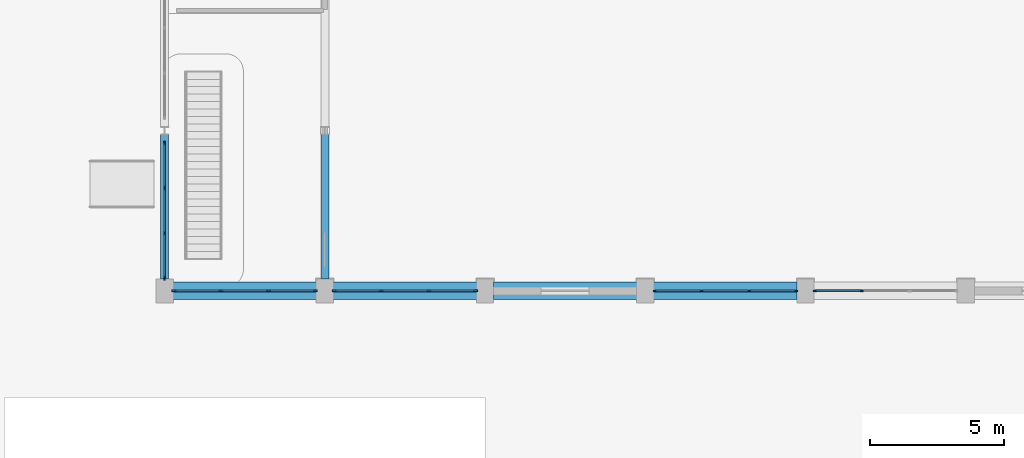
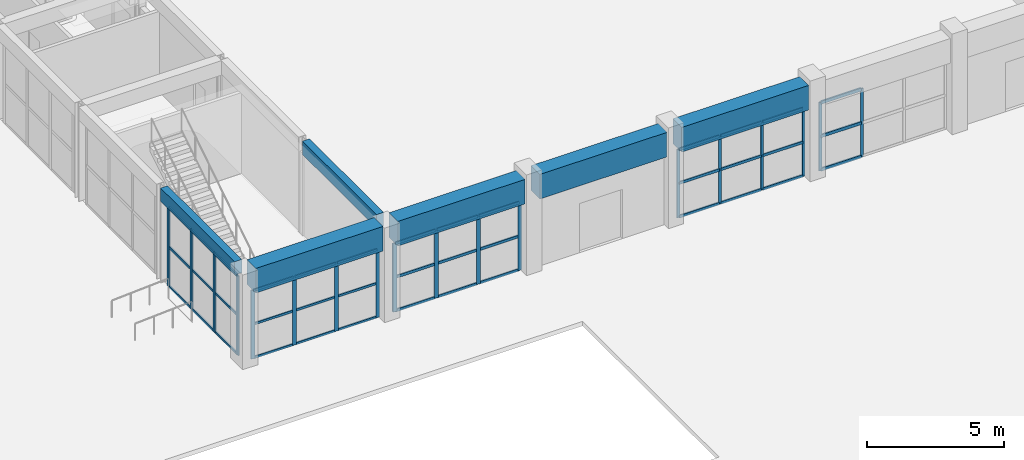
# One storey, part 15 of 76: 57 members, 6 beams, 5 elements without a shape of their own.
"""IFC4 building model written with IfcOpenShell, lengths in metres."""

from ifc_helpers import new_model, si_unit, direction, frame, origin, origin_2d, place, context, subcontext, project, spatial, rectangle, extrude, material, layer, layer_set, material_profile, profile_set, type_object, element, aggregate, save


model = new_model("IFC4")

# Units and contexts
model_context = context("Model", 3, precision=1e-05, world=origin(), true_north=direction((0.0, 1.0)))
body_context = subcontext(model_context, "Body", "Model", "MODEL_VIEW")
ifc_project = project(units=[si_unit("LENGTHUNIT", "METRE"), si_unit("AREAUNIT", "SQUARE_METRE"), si_unit("VOLUMEUNIT", "CUBIC_METRE"), si_unit("PLANEANGLEUNIT", "RADIAN"), si_unit("MASSUNIT", "GRAM", prefix="KILO"), si_unit("POWERUNIT", "WATT"), si_unit("THERMODYNAMICTEMPERATUREUNIT", "KELVIN")], contexts=[model_context])

# Site, building, storey
site_placement = place(None, origin())
site = spatial("IfcSite", under=ifc_project, at=site_placement, CompositionType="ELEMENT")
building_placement = place(site_placement, origin())
building = spatial("IfcBuilding", under=site, at=building_placement, Name="Ruvembo Vaulted Housing Court", CompositionType="ELEMENT")
storey_placement = place(building_placement, origin())
storey = spatial("IfcBuildingStorey", under=building, at=storey_placement, Name="L00", CompositionType="ELEMENT", Elevation=0.0)

# Beams
ifc_material_1 = material(Name="Concrete C35/45", Category="concrete")
ifc_material_profile_1 = material_profile(ifc_material_1, rectangle(XDim=0.300048828125, YDim=0.60009765625, at=origin_2d()), Name="RC 300x600")
ifc_profile_set_1 = profile_set([ifc_material_profile_1], Name="Concrete C35/45")
beam_type_1 = type_object("IfcBeamType", Name="BM-RC-300x600", PredefinedType="BEAM", material=ifc_profile_set_1)
for number, where, z_axis, x_axis, name in (
    (1, (66.0, 42.43505859375, 3.929931640625), (0.0, 1.0, 0.0), (-1.0, 0.0, 0.0), "L00 Grid Beam Y #1007"),
    (2, (72.0, 42.43505859375, 3.929931640625), (0.0, 1.0, 0.0), (-1.0, 0.0, 0.0), "L00 Grid Beam Y #1015"),
):
    element("IfcBeam", number, at=place(storey_placement, frame(where, z_axis=z_axis, x_axis=x_axis)), inside=storey, type_object=beam_type_1, Name=name, PredefinedType="BEAM", context=body_context, shape_type="SweptSolid", body=[
        extrude(rectangle(XDim=0.300048828125, YDim=0.60009765625, at=origin_2d()), origin(), (0.0, 0.0, 1.0), 5.429931640625),
    ])

# Curtain wall, members
ifc_material_2 = material(Name="Anodised Aluminium and Solar-Control Glass", Category="aluminium")
ifc_layer_1 = layer(ifc_material_2, 0.159912109375, Name="Anodised Aluminium and Solar-Control Glass")
ifc_layer_set_1 = layer_set([ifc_layer_1], Name="Anodised Aluminium and Solar-Control Glass")
curtain_wall_type_1 = type_object("IfcCurtainWallType", Name="CW-HALL-SIDE", PredefinedType="NOTDEFINED", material=ifc_layer_set_1)
curtain_wall_1_placement = place(storey_placement, origin())
curtain_wall_1 = element("IfcCurtainWall", 3, at=curtain_wall_1_placement, inside=storey, type_object=curtain_wall_type_1, Name="L00 Curtain Wall CW-L00-0099", PredefinedType="NOTDEFINED")
ifc_material_3 = material(Name="Anodised Aluminium 6063-T6", Category="aluminium")
ifc_material_profile_2 = material_profile(ifc_material_3, rectangle(XDim=0.054931640625, YDim=0.1201171875, at=origin_2d()), Name="ALU 55x120")
ifc_profile_set_2 = profile_set([ifc_material_profile_2], Name="Anodised Aluminium 6063-T6")
member_type_1 = type_object("IfcMemberType", Name="CW-MUL-55x120", PredefinedType="MULLION", material=ifc_profile_set_2)
member_1_placement = place(storey_placement, frame((84.3525390625, 42.0, 0.0), z_axis=(0.0, 0.0, 1.0), x_axis=(0.0, 1.0, 0.0)))
member_1 = element("IfcMember", 4, at=member_1_placement, type_object=member_type_1, Name="CW1 mullion 1", PredefinedType="MULLION", context=body_context, shape_type="SweptSolid", body=[
    extrude(rectangle(XDim=0.054931640625, YDim=0.1201171875, at=origin_2d()), origin(), (0.0, 0.0, 1.0), 3.06201171875),
])
member_2_placement = place(storey_placement, frame((86.1083984375, 42.0, 0.0), z_axis=(0.0, 0.0, 1.0), x_axis=(0.0, 1.0, 0.0)))
member_2 = element("IfcMember", 5, at=member_2_placement, type_object=member_type_1, Name="CW1 mullion 2", PredefinedType="MULLION", context=body_context, shape_type="SweptSolid", body=[
    extrude(rectangle(XDim=0.054931640625, YDim=0.1201171875, at=origin_2d()), origin(), (0.0, 0.0, 1.0), 3.06201171875),
])
member_3_placement = place(storey_placement, frame((87.8916015625, 42.0, 0.0), z_axis=(0.0, 0.0, 1.0), x_axis=(0.0, 1.0, 0.0)))
member_3 = element("IfcMember", 6, at=member_3_placement, type_object=member_type_1, Name="CW1 mullion 3", PredefinedType="MULLION", context=body_context, shape_type="SweptSolid", body=[
    extrude(rectangle(XDim=0.054931640625, YDim=0.1201171875, at=origin_2d()), origin(), (0.0, 0.0, 1.0), 3.06201171875),
])
member_4_placement = place(storey_placement, frame((89.6474609375, 42.0, 0.0), z_axis=(0.0, 0.0, 1.0), x_axis=(0.0, 1.0, 0.0)))
member_4 = element("IfcMember", 7, at=member_4_placement, type_object=member_type_1, Name="CW1 mullion 4", PredefinedType="MULLION", context=body_context, shape_type="SweptSolid", body=[
    extrude(rectangle(XDim=0.054931640625, YDim=0.1201171875, at=origin_2d()), origin(), (0.0, 0.0, 1.0), 3.06201171875),
])

curtain_wall_2_placement = place(storey_placement, origin())
curtain_wall_2 = element("IfcCurtainWall", 8, at=curtain_wall_2_placement, inside=storey, type_object=curtain_wall_type_1, Name="L00 Curtain Wall CW-L00-0103", PredefinedType="NOTDEFINED")
member_5_placement = place(storey_placement, frame((90.3525390625, 42.0, 0.0), z_axis=(0.0, 0.0, 1.0), x_axis=(0.0, 1.0, 0.0)))
member_5 = element("IfcMember", 9, at=member_5_placement, type_object=member_type_1, Name="CW1 mullion 1", PredefinedType="MULLION", context=body_context, shape_type="SweptSolid", body=[
    extrude(rectangle(XDim=0.054931640625, YDim=0.1201171875, at=origin_2d()), origin(), (0.0, 0.0, 1.0), 3.06201171875),
])
member_6_placement = place(storey_placement, frame((92.1083984375, 42.0, 0.0), z_axis=(0.0, 0.0, 1.0), x_axis=(0.0, 1.0, 0.0)))
member_6 = element("IfcMember", 10, at=member_6_placement, type_object=member_type_1, Name="CW1 mullion 2", PredefinedType="MULLION", context=body_context, shape_type="SweptSolid", body=[
    extrude(rectangle(XDim=0.054931640625, YDim=0.1201171875, at=origin_2d()), origin(), (0.0, 0.0, 1.0), 3.06201171875),
])

curtain_wall_3_placement = place(storey_placement, origin())
curtain_wall_3 = element("IfcCurtainWall", 11, at=curtain_wall_3_placement, inside=storey, type_object=curtain_wall_type_1, Name="L00 Curtain Wall CW-L00-0089", PredefinedType="NOTDEFINED")
ifc_material_profile_3 = material_profile(ifc_material_3, rectangle(XDim=0.06005859375, YDim=0.159912109375, at=origin_2d()), Name="ALU 60x160")
ifc_profile_set_3 = profile_set([ifc_material_profile_3], Name="Anodised Aluminium 6063-T6")
member_type_2 = type_object("IfcMemberType", Name="CW-MULLION-65x150", PredefinedType="MULLION", material=ifc_profile_set_3)
member_7_placement = place(storey_placement, frame((66.35498046875, 42.0, 0.0), z_axis=(0.0, 0.0, 1.0), x_axis=(0.0, 1.0, 0.0)))
member_7 = element("IfcMember", 12, at=member_7_placement, type_object=member_type_2, Name="CW1 mullion 1", PredefinedType="MULLION", context=body_context, shape_type="SweptSolid", body=[
    extrude(rectangle(XDim=0.06005859375, YDim=0.159912109375, at=origin_2d()), origin(), (0.0, 0.0, 1.0), 3.06201171875),
])
member_8_placement = place(storey_placement, frame((68.1083984375, 42.0, 0.0), z_axis=(0.0, 0.0, 1.0), x_axis=(0.0, 1.0, 0.0)))
member_8 = element("IfcMember", 13, at=member_8_placement, type_object=member_type_2, Name="CW1 mullion 2", PredefinedType="MULLION", context=body_context, shape_type="SweptSolid", body=[
    extrude(rectangle(XDim=0.06005859375, YDim=0.159912109375, at=origin_2d()), origin(), (0.0, 0.0, 1.0), 3.06201171875),
])
member_9_placement = place(storey_placement, frame((69.8916015625, 42.0, 0.0), z_axis=(0.0, 0.0, 1.0), x_axis=(0.0, 1.0, 0.0)))
member_9 = element("IfcMember", 14, at=member_9_placement, type_object=member_type_2, Name="CW1 mullion 3", PredefinedType="MULLION", context=body_context, shape_type="SweptSolid", body=[
    extrude(rectangle(XDim=0.06005859375, YDim=0.159912109375, at=origin_2d()), origin(), (0.0, 0.0, 1.0), 3.06201171875),
])
member_10_placement = place(storey_placement, frame((71.64501953125, 42.0, 0.0), z_axis=(0.0, 0.0, 1.0), x_axis=(0.0, 1.0, 0.0)))
member_10 = element("IfcMember", 15, at=member_10_placement, type_object=member_type_2, Name="CW1 mullion 4", PredefinedType="MULLION", context=body_context, shape_type="SweptSolid", body=[
    extrude(rectangle(XDim=0.06005859375, YDim=0.159912109375, at=origin_2d()), origin(), (0.0, 0.0, 1.0), 3.06201171875),
])

curtain_wall_4_placement = place(storey_placement, origin())
curtain_wall_4 = element("IfcCurtainWall", 16, at=curtain_wall_4_placement, inside=storey, type_object=curtain_wall_type_1, Name="L00 Curtain Wall CW-L00-0093", PredefinedType="NOTDEFINED")
member_11_placement = place(storey_placement, frame((72.35498046875, 42.0, 0.0), z_axis=(0.0, 0.0, 1.0), x_axis=(0.0, 1.0, 0.0)))
member_11 = element("IfcMember", 17, at=member_11_placement, type_object=member_type_2, Name="CW1 mullion 1", PredefinedType="MULLION", context=body_context, shape_type="SweptSolid", body=[
    extrude(rectangle(XDim=0.06005859375, YDim=0.159912109375, at=origin_2d()), origin(), (0.0, 0.0, 1.0), 3.06201171875),
])
member_12_placement = place(storey_placement, frame((74.1083984375, 42.0, 0.0), z_axis=(0.0, 0.0, 1.0), x_axis=(0.0, 1.0, 0.0)))
member_12 = element("IfcMember", 18, at=member_12_placement, type_object=member_type_2, Name="CW1 mullion 2", PredefinedType="MULLION", context=body_context, shape_type="SweptSolid", body=[
    extrude(rectangle(XDim=0.06005859375, YDim=0.159912109375, at=origin_2d()), origin(), (0.0, 0.0, 1.0), 3.06201171875),
])
member_13_placement = place(storey_placement, frame((75.8916015625, 42.0, 0.0), z_axis=(0.0, 0.0, 1.0), x_axis=(0.0, 1.0, 0.0)))
member_13 = element("IfcMember", 19, at=member_13_placement, type_object=member_type_2, Name="CW1 mullion 3", PredefinedType="MULLION", context=body_context, shape_type="SweptSolid", body=[
    extrude(rectangle(XDim=0.06005859375, YDim=0.159912109375, at=origin_2d()), origin(), (0.0, 0.0, 1.0), 3.06201171875),
])
member_14_placement = place(storey_placement, frame((77.64501953125, 42.0, 0.0), z_axis=(0.0, 0.0, 1.0), x_axis=(0.0, 1.0, 0.0)))
member_14 = element("IfcMember", 20, at=member_14_placement, type_object=member_type_2, Name="CW1 mullion 4", PredefinedType="MULLION", context=body_context, shape_type="SweptSolid", body=[
    extrude(rectangle(XDim=0.06005859375, YDim=0.159912109375, at=origin_2d()), origin(), (0.0, 0.0, 1.0), 3.06201171875),
])

ifc_layer_2 = layer(ifc_material_2, 0.179931640625, Name="Anodised Aluminium and Solar-Control Glass")
ifc_layer_set_2 = layer_set([ifc_layer_2], Name="Anodised Aluminium and Solar-Control Glass")
curtain_wall_type_2 = type_object("IfcCurtainWallType", Name="CW-HALL-TYMP", PredefinedType="NOTDEFINED", material=ifc_layer_set_2)
curtain_wall_5_placement = place(storey_placement, origin())
curtain_wall_5 = element("IfcCurtainWall", 21, at=curtain_wall_5_placement, inside=storey, type_object=curtain_wall_type_2, Name="L00 Curtain Wall CW-L00-0113", PredefinedType="NOTDEFINED")
member_15_placement = place(storey_placement, frame((66.0, 42.47998046875, 0.0), z_axis=(0.0, 0.0, 1.0), x_axis=(-1.0, 0.0, 0.0)))
member_15 = element("IfcMember", 22, at=member_15_placement, type_object=member_type_2, Name="CW2 mullion 1", PredefinedType="MULLION", context=body_context, shape_type="SweptSolid", body=[
    extrude(rectangle(XDim=0.06005859375, YDim=0.159912109375, at=origin_2d()), origin(), (0.0, 0.0, 1.0), 3.56201171875),
])
member_16_placement = place(storey_placement, frame((66.0, 44.14990234375, 0.0), z_axis=(0.0, 0.0, 1.0), x_axis=(-1.0, 0.0, 0.0)))
member_16 = element("IfcMember", 23, at=member_16_placement, type_object=member_type_2, Name="CW2 mullion 2", PredefinedType="MULLION", context=body_context, shape_type="SweptSolid", body=[
    extrude(rectangle(XDim=0.06005859375, YDim=0.159912109375, at=origin_2d()), origin(), (0.0, 0.0, 1.0), 3.56201171875),
])
member_17_placement = place(storey_placement, frame((66.0, 45.85009765625, 0.0), z_axis=(0.0, 0.0, 1.0), x_axis=(-1.0, 0.0, 0.0)))
member_17 = element("IfcMember", 24, at=member_17_placement, type_object=member_type_2, Name="CW2 mullion 3", PredefinedType="MULLION", context=body_context, shape_type="SweptSolid", body=[
    extrude(rectangle(XDim=0.06005859375, YDim=0.159912109375, at=origin_2d()), origin(), (0.0, 0.0, 1.0), 3.56201171875),
])
member_18_placement = place(storey_placement, frame((66.0, 47.52001953125, 0.0), z_axis=(0.0, 0.0, 1.0), x_axis=(-1.0, 0.0, 0.0)))
member_18 = element("IfcMember", 25, at=member_18_placement, type_object=member_type_2, Name="CW2 mullion 4", PredefinedType="MULLION", context=body_context, shape_type="SweptSolid", body=[
    extrude(rectangle(XDim=0.06005859375, YDim=0.159912109375, at=origin_2d()), origin(), (0.0, 0.0, 1.0), 3.56201171875),
])

# Member
ifc_material_profile_4 = material_profile(ifc_material_3, rectangle(XDim=0.06005859375, YDim=0.1201171875, at=origin_2d()), Name="ALU 60x120")
ifc_profile_set_4 = profile_set([ifc_material_profile_4], Name="Anodised Aluminium 6063-T6")
member_type_3 = type_object("IfcMemberType", Name="CW-TRANSOM-65x120", PredefinedType="USERDEFINED", material=ifc_profile_set_4)
member_19_placement = place(storey_placement, frame((72.385009765625, 42.0, 0.030029296875), z_axis=(1.0, 0.0, 0.0), x_axis=(0.0, 1.0, 0.0)))
member_19 = element("IfcMember", 26, at=member_19_placement, type_object=member_type_3, Name="CW1 transom 1.1", ObjectType="TRANSOM", PredefinedType="USERDEFINED", context=body_context, shape_type="SweptSolid", body=[
    extrude(rectangle(XDim=0.06005859375, YDim=0.1201171875, at=origin_2d()), origin(), (0.0, 0.0, 1.0), 1.693359375),
])

member_20_placement = place(storey_placement, frame((72.385009765625, 42.0, 1.531005859375), z_axis=(1.0, 0.0, 0.0), x_axis=(0.0, 1.0, 0.0)))
member_20 = element("IfcMember", 27, at=member_20_placement, type_object=member_type_3, Name="CW1 transom 1.2", ObjectType="TRANSOM", PredefinedType="USERDEFINED", context=body_context, shape_type="SweptSolid", body=[
    extrude(rectangle(XDim=0.06005859375, YDim=0.1201171875, at=origin_2d()), origin(), (0.0, 0.0, 1.0), 1.693359375),
])

member_21_placement = place(storey_placement, frame((72.385009765625, 42.0, 3.031982421875), z_axis=(1.0, 0.0, 0.0), x_axis=(0.0, 1.0, 0.0)))
member_21 = element("IfcMember", 28, at=member_21_placement, type_object=member_type_3, Name="CW1 transom 1.3", ObjectType="TRANSOM", PredefinedType="USERDEFINED", context=body_context, shape_type="SweptSolid", body=[
    extrude(rectangle(XDim=0.06005859375, YDim=0.1201171875, at=origin_2d()), origin(), (0.0, 0.0, 1.0), 1.693359375),
])

member_22_placement = place(storey_placement, frame((74.138427734375, 42.0, 0.030029296875), z_axis=(1.0, 0.0, 0.0), x_axis=(0.0, 1.0, 0.0)))
member_22 = element("IfcMember", 29, at=member_22_placement, type_object=member_type_3, Name="CW1 transom 2.1", ObjectType="TRANSOM", PredefinedType="USERDEFINED", context=body_context, shape_type="SweptSolid", body=[
    extrude(rectangle(XDim=0.06005859375, YDim=0.1201171875, at=origin_2d()), origin(), (0.0, 0.0, 1.0), 1.72314453125),
])

member_23_placement = place(storey_placement, frame((74.138427734375, 42.0, 1.531005859375), z_axis=(1.0, 0.0, 0.0), x_axis=(0.0, 1.0, 0.0)))
member_23 = element("IfcMember", 30, at=member_23_placement, type_object=member_type_3, Name="CW1 transom 2.2", ObjectType="TRANSOM", PredefinedType="USERDEFINED", context=body_context, shape_type="SweptSolid", body=[
    extrude(rectangle(XDim=0.06005859375, YDim=0.1201171875, at=origin_2d()), origin(), (0.0, 0.0, 1.0), 1.72314453125),
])

member_24_placement = place(storey_placement, frame((74.138427734375, 42.0, 3.031982421875), z_axis=(1.0, 0.0, 0.0), x_axis=(0.0, 1.0, 0.0)))
member_24 = element("IfcMember", 31, at=member_24_placement, type_object=member_type_3, Name="CW1 transom 2.3", ObjectType="TRANSOM", PredefinedType="USERDEFINED", context=body_context, shape_type="SweptSolid", body=[
    extrude(rectangle(XDim=0.06005859375, YDim=0.1201171875, at=origin_2d()), origin(), (0.0, 0.0, 1.0), 1.72314453125),
])

member_25_placement = place(storey_placement, frame((75.921630859375, 42.0, 0.030029296875), z_axis=(1.0, 0.0, 0.0), x_axis=(0.0, 1.0, 0.0)))
member_25 = element("IfcMember", 32, at=member_25_placement, type_object=member_type_3, Name="CW1 transom 3.1", ObjectType="TRANSOM", PredefinedType="USERDEFINED", context=body_context, shape_type="SweptSolid", body=[
    extrude(rectangle(XDim=0.06005859375, YDim=0.1201171875, at=origin_2d()), origin(), (0.0, 0.0, 1.0), 1.693359375),
])

member_26_placement = place(storey_placement, frame((75.921630859375, 42.0, 1.531005859375), z_axis=(1.0, 0.0, 0.0), x_axis=(0.0, 1.0, 0.0)))
member_26 = element("IfcMember", 33, at=member_26_placement, type_object=member_type_3, Name="CW1 transom 3.2", ObjectType="TRANSOM", PredefinedType="USERDEFINED", context=body_context, shape_type="SweptSolid", body=[
    extrude(rectangle(XDim=0.06005859375, YDim=0.1201171875, at=origin_2d()), origin(), (0.0, 0.0, 1.0), 1.693359375),
])

member_27_placement = place(storey_placement, frame((75.921630859375, 42.0, 3.031982421875), z_axis=(1.0, 0.0, 0.0), x_axis=(0.0, 1.0, 0.0)))
member_27 = element("IfcMember", 34, at=member_27_placement, type_object=member_type_3, Name="CW1 transom 3.3", ObjectType="TRANSOM", PredefinedType="USERDEFINED", context=body_context, shape_type="SweptSolid", body=[
    extrude(rectangle(XDim=0.06005859375, YDim=0.1201171875, at=origin_2d()), origin(), (0.0, 0.0, 1.0), 1.693359375),
])

aggregate(curtain_wall_4, [member_11, member_12, member_13, member_14, member_19, member_20, member_21, member_22, member_23, member_24, member_25, member_26, member_27])

member_28_placement = place(storey_placement, frame((84.3798828125, 42.0, 0.030029296875), z_axis=(1.0, 0.0, 0.0), x_axis=(0.0, 1.0, 0.0)))
member_28 = element("IfcMember", 35, at=member_28_placement, type_object=member_type_3, Name="CW1 transom 1.1", ObjectType="TRANSOM", PredefinedType="USERDEFINED", context=body_context, shape_type="SweptSolid", body=[
    extrude(rectangle(XDim=0.06005859375, YDim=0.1201171875, at=origin_2d()), origin(), (0.0, 0.0, 1.0), 1.700927734375),
])

member_29_placement = place(storey_placement, frame((84.3798828125, 42.0, 1.531005859375), z_axis=(1.0, 0.0, 0.0), x_axis=(0.0, 1.0, 0.0)))
member_29 = element("IfcMember", 36, at=member_29_placement, type_object=member_type_3, Name="CW1 transom 1.2", ObjectType="TRANSOM", PredefinedType="USERDEFINED", context=body_context, shape_type="SweptSolid", body=[
    extrude(rectangle(XDim=0.06005859375, YDim=0.1201171875, at=origin_2d()), origin(), (0.0, 0.0, 1.0), 1.700927734375),
])

member_30_placement = place(storey_placement, frame((84.3798828125, 42.0, 3.031982421875), z_axis=(1.0, 0.0, 0.0), x_axis=(0.0, 1.0, 0.0)))
member_30 = element("IfcMember", 37, at=member_30_placement, type_object=member_type_3, Name="CW1 transom 1.3", ObjectType="TRANSOM", PredefinedType="USERDEFINED", context=body_context, shape_type="SweptSolid", body=[
    extrude(rectangle(XDim=0.06005859375, YDim=0.1201171875, at=origin_2d()), origin(), (0.0, 0.0, 1.0), 1.700927734375),
])

member_31_placement = place(storey_placement, frame((86.1357421875, 42.0, 0.030029296875), z_axis=(1.0, 0.0, 0.0), x_axis=(0.0, 1.0, 0.0)))
member_31 = element("IfcMember", 38, at=member_31_placement, type_object=member_type_3, Name="CW1 transom 2.1", ObjectType="TRANSOM", PredefinedType="USERDEFINED", context=body_context, shape_type="SweptSolid", body=[
    extrude(rectangle(XDim=0.06005859375, YDim=0.1201171875, at=origin_2d()), origin(), (0.0, 0.0, 1.0), 1.728515625),
])

member_32_placement = place(storey_placement, frame((86.1357421875, 42.0, 1.531005859375), z_axis=(1.0, 0.0, 0.0), x_axis=(0.0, 1.0, 0.0)))
member_32 = element("IfcMember", 39, at=member_32_placement, type_object=member_type_3, Name="CW1 transom 2.2", ObjectType="TRANSOM", PredefinedType="USERDEFINED", context=body_context, shape_type="SweptSolid", body=[
    extrude(rectangle(XDim=0.06005859375, YDim=0.1201171875, at=origin_2d()), origin(), (0.0, 0.0, 1.0), 1.728515625),
])

member_33_placement = place(storey_placement, frame((86.1357421875, 42.0, 3.031982421875), z_axis=(1.0, 0.0, 0.0), x_axis=(0.0, 1.0, 0.0)))
member_33 = element("IfcMember", 40, at=member_33_placement, type_object=member_type_3, Name="CW1 transom 2.3", ObjectType="TRANSOM", PredefinedType="USERDEFINED", context=body_context, shape_type="SweptSolid", body=[
    extrude(rectangle(XDim=0.06005859375, YDim=0.1201171875, at=origin_2d()), origin(), (0.0, 0.0, 1.0), 1.728515625),
])

member_34_placement = place(storey_placement, frame((87.919189453125, 42.0, 0.030029296875), z_axis=(1.0, 0.0, 0.0), x_axis=(0.0, 1.0, 0.0)))
member_34 = element("IfcMember", 41, at=member_34_placement, type_object=member_type_3, Name="CW1 transom 3.1", ObjectType="TRANSOM", PredefinedType="USERDEFINED", context=body_context, shape_type="SweptSolid", body=[
    extrude(rectangle(XDim=0.06005859375, YDim=0.1201171875, at=origin_2d()), origin(), (0.0, 0.0, 1.0), 1.700927734375),
])

member_35_placement = place(storey_placement, frame((87.919189453125, 42.0, 1.531005859375), z_axis=(1.0, 0.0, 0.0), x_axis=(0.0, 1.0, 0.0)))
member_35 = element("IfcMember", 42, at=member_35_placement, type_object=member_type_3, Name="CW1 transom 3.2", ObjectType="TRANSOM", PredefinedType="USERDEFINED", context=body_context, shape_type="SweptSolid", body=[
    extrude(rectangle(XDim=0.06005859375, YDim=0.1201171875, at=origin_2d()), origin(), (0.0, 0.0, 1.0), 1.700927734375),
])

member_36_placement = place(storey_placement, frame((87.919189453125, 42.0, 3.031982421875), z_axis=(1.0, 0.0, 0.0), x_axis=(0.0, 1.0, 0.0)))
member_36 = element("IfcMember", 43, at=member_36_placement, type_object=member_type_3, Name="CW1 transom 3.3", ObjectType="TRANSOM", PredefinedType="USERDEFINED", context=body_context, shape_type="SweptSolid", body=[
    extrude(rectangle(XDim=0.06005859375, YDim=0.1201171875, at=origin_2d()), origin(), (0.0, 0.0, 1.0), 1.700927734375),
])

aggregate(curtain_wall_1, [member_1, member_2, member_3, member_4, member_28, member_29, member_30, member_31, member_32, member_33, member_34, member_35, member_36])

ifc_material_profile_5 = material_profile(ifc_material_3, rectangle(XDim=0.06005859375, YDim=0.10009765625, at=origin_2d()), Name="ALU 60x100")
ifc_profile_set_5 = profile_set([ifc_material_profile_5], Name="Anodised Aluminium 6063-T6")
member_type_4 = type_object("IfcMemberType", Name="CW-TRN-60x100", PredefinedType="USERDEFINED", material=ifc_profile_set_5)
member_37_placement = place(storey_placement, frame((66.385009765625, 42.0, 0.030029296875), z_axis=(1.0, 0.0, 0.0), x_axis=(0.0, 1.0, 0.0)))
member_37 = element("IfcMember", 44, at=member_37_placement, type_object=member_type_4, Name="CW1 transom 1.1", ObjectType="TRANSOM", PredefinedType="USERDEFINED", context=body_context, shape_type="SweptSolid", body=[
    extrude(rectangle(XDim=0.06005859375, YDim=0.10009765625, at=origin_2d()), origin(), (0.0, 0.0, 1.0), 1.693359375),
])

member_38_placement = place(storey_placement, frame((66.385009765625, 42.0, 1.531005859375), z_axis=(1.0, 0.0, 0.0), x_axis=(0.0, 1.0, 0.0)))
member_38 = element("IfcMember", 45, at=member_38_placement, type_object=member_type_4, Name="CW1 transom 1.2", ObjectType="TRANSOM", PredefinedType="USERDEFINED", context=body_context, shape_type="SweptSolid", body=[
    extrude(rectangle(XDim=0.06005859375, YDim=0.10009765625, at=origin_2d()), origin(), (0.0, 0.0, 1.0), 1.693359375),
])

member_39_placement = place(storey_placement, frame((66.385009765625, 42.0, 3.031982421875), z_axis=(1.0, 0.0, 0.0), x_axis=(0.0, 1.0, 0.0)))
member_39 = element("IfcMember", 46, at=member_39_placement, type_object=member_type_4, Name="CW1 transom 1.3", ObjectType="TRANSOM", PredefinedType="USERDEFINED", context=body_context, shape_type="SweptSolid", body=[
    extrude(rectangle(XDim=0.06005859375, YDim=0.10009765625, at=origin_2d()), origin(), (0.0, 0.0, 1.0), 1.693359375),
])

member_40_placement = place(storey_placement, frame((68.138427734375, 42.0, 0.030029296875), z_axis=(1.0, 0.0, 0.0), x_axis=(0.0, 1.0, 0.0)))
member_40 = element("IfcMember", 47, at=member_40_placement, type_object=member_type_4, Name="CW1 transom 2.1", ObjectType="TRANSOM", PredefinedType="USERDEFINED", context=body_context, shape_type="SweptSolid", body=[
    extrude(rectangle(XDim=0.06005859375, YDim=0.10009765625, at=origin_2d()), origin(), (0.0, 0.0, 1.0), 1.72314453125),
])

member_41_placement = place(storey_placement, frame((68.138427734375, 42.0, 1.531005859375), z_axis=(1.0, 0.0, 0.0), x_axis=(0.0, 1.0, 0.0)))
member_41 = element("IfcMember", 48, at=member_41_placement, type_object=member_type_4, Name="CW1 transom 2.2", ObjectType="TRANSOM", PredefinedType="USERDEFINED", context=body_context, shape_type="SweptSolid", body=[
    extrude(rectangle(XDim=0.06005859375, YDim=0.10009765625, at=origin_2d()), origin(), (0.0, 0.0, 1.0), 1.72314453125),
])

member_42_placement = place(storey_placement, frame((68.138427734375, 42.0, 3.031982421875), z_axis=(1.0, 0.0, 0.0), x_axis=(0.0, 1.0, 0.0)))
member_42 = element("IfcMember", 49, at=member_42_placement, type_object=member_type_4, Name="CW1 transom 2.3", ObjectType="TRANSOM", PredefinedType="USERDEFINED", context=body_context, shape_type="SweptSolid", body=[
    extrude(rectangle(XDim=0.06005859375, YDim=0.10009765625, at=origin_2d()), origin(), (0.0, 0.0, 1.0), 1.72314453125),
])

member_43_placement = place(storey_placement, frame((69.921630859375, 42.0, 0.030029296875), z_axis=(1.0, 0.0, 0.0), x_axis=(0.0, 1.0, 0.0)))
member_43 = element("IfcMember", 50, at=member_43_placement, type_object=member_type_4, Name="CW1 transom 3.1", ObjectType="TRANSOM", PredefinedType="USERDEFINED", context=body_context, shape_type="SweptSolid", body=[
    extrude(rectangle(XDim=0.06005859375, YDim=0.10009765625, at=origin_2d()), origin(), (0.0, 0.0, 1.0), 1.693359375),
])

member_44_placement = place(storey_placement, frame((69.921630859375, 42.0, 1.531005859375), z_axis=(1.0, 0.0, 0.0), x_axis=(0.0, 1.0, 0.0)))
member_44 = element("IfcMember", 51, at=member_44_placement, type_object=member_type_4, Name="CW1 transom 3.2", ObjectType="TRANSOM", PredefinedType="USERDEFINED", context=body_context, shape_type="SweptSolid", body=[
    extrude(rectangle(XDim=0.06005859375, YDim=0.10009765625, at=origin_2d()), origin(), (0.0, 0.0, 1.0), 1.693359375),
])

member_45_placement = place(storey_placement, frame((69.921630859375, 42.0, 3.031982421875), z_axis=(1.0, 0.0, 0.0), x_axis=(0.0, 1.0, 0.0)))
member_45 = element("IfcMember", 52, at=member_45_placement, type_object=member_type_4, Name="CW1 transom 3.3", ObjectType="TRANSOM", PredefinedType="USERDEFINED", context=body_context, shape_type="SweptSolid", body=[
    extrude(rectangle(XDim=0.06005859375, YDim=0.10009765625, at=origin_2d()), origin(), (0.0, 0.0, 1.0), 1.693359375),
])

aggregate(curtain_wall_3, [member_7, member_8, member_9, member_10, member_37, member_38, member_39, member_40, member_41, member_42, member_43, member_44, member_45])

member_46_placement = place(storey_placement, frame((66.0, 42.510009765625, 0.030029296875), z_axis=(0.0, 1.0, 0.0), x_axis=(-1.0, 0.0, 0.0)))
member_46 = element("IfcMember", 53, at=member_46_placement, type_object=member_type_4, Name="CW2 transom 1.1", ObjectType="TRANSOM", PredefinedType="USERDEFINED", context=body_context, shape_type="SweptSolid", body=[
    extrude(rectangle(XDim=0.06005859375, YDim=0.10009765625, at=origin_2d()), origin(), (0.0, 0.0, 1.0), 1.610107421875),
])

member_47_placement = place(storey_placement, frame((66.0, 42.510009765625, 1.781005859375), z_axis=(0.0, 1.0, 0.0), x_axis=(-1.0, 0.0, 0.0)))
member_47 = element("IfcMember", 54, at=member_47_placement, type_object=member_type_4, Name="CW2 transom 1.2", ObjectType="TRANSOM", PredefinedType="USERDEFINED", context=body_context, shape_type="SweptSolid", body=[
    extrude(rectangle(XDim=0.06005859375, YDim=0.10009765625, at=origin_2d()), origin(), (0.0, 0.0, 1.0), 1.610107421875),
])

member_48_placement = place(storey_placement, frame((66.0, 42.510009765625, 3.531982421875), z_axis=(0.0, 1.0, 0.0), x_axis=(-1.0, 0.0, 0.0)))
member_48 = element("IfcMember", 55, at=member_48_placement, type_object=member_type_4, Name="CW2 transom 1.3", ObjectType="TRANSOM", PredefinedType="USERDEFINED", context=body_context, shape_type="SweptSolid", body=[
    extrude(rectangle(XDim=0.06005859375, YDim=0.10009765625, at=origin_2d()), origin(), (0.0, 0.0, 1.0), 1.610107421875),
])

member_49_placement = place(storey_placement, frame((66.0, 44.179931640625, 0.030029296875), z_axis=(0.0, 1.0, 0.0), x_axis=(-1.0, 0.0, 0.0)))
member_49 = element("IfcMember", 56, at=member_49_placement, type_object=member_type_4, Name="CW2 transom 2.1", ObjectType="TRANSOM", PredefinedType="USERDEFINED", context=body_context, shape_type="SweptSolid", body=[
    extrude(rectangle(XDim=0.06005859375, YDim=0.10009765625, at=origin_2d()), origin(), (0.0, 0.0, 1.0), 1.64013671875),
])

member_50_placement = place(storey_placement, frame((66.0, 44.179931640625, 1.781005859375), z_axis=(0.0, 1.0, 0.0), x_axis=(-1.0, 0.0, 0.0)))
member_50 = element("IfcMember", 57, at=member_50_placement, type_object=member_type_4, Name="CW2 transom 2.2", ObjectType="TRANSOM", PredefinedType="USERDEFINED", context=body_context, shape_type="SweptSolid", body=[
    extrude(rectangle(XDim=0.06005859375, YDim=0.10009765625, at=origin_2d()), origin(), (0.0, 0.0, 1.0), 1.64013671875),
])

member_51_placement = place(storey_placement, frame((66.0, 44.179931640625, 3.531982421875), z_axis=(0.0, 1.0, 0.0), x_axis=(-1.0, 0.0, 0.0)))
member_51 = element("IfcMember", 58, at=member_51_placement, type_object=member_type_4, Name="CW2 transom 2.3", ObjectType="TRANSOM", PredefinedType="USERDEFINED", context=body_context, shape_type="SweptSolid", body=[
    extrude(rectangle(XDim=0.06005859375, YDim=0.10009765625, at=origin_2d()), origin(), (0.0, 0.0, 1.0), 1.64013671875),
])

member_52_placement = place(storey_placement, frame((66.0, 45.8798828125, 0.030029296875), z_axis=(0.0, 1.0, 0.0), x_axis=(-1.0, 0.0, 0.0)))
member_52 = element("IfcMember", 59, at=member_52_placement, type_object=member_type_4, Name="CW2 transom 3.1", ObjectType="TRANSOM", PredefinedType="USERDEFINED", context=body_context, shape_type="SweptSolid", body=[
    extrude(rectangle(XDim=0.06005859375, YDim=0.10009765625, at=origin_2d()), origin(), (0.0, 0.0, 1.0), 1.610107421875),
])

member_53_placement = place(storey_placement, frame((66.0, 45.8798828125, 1.781005859375), z_axis=(0.0, 1.0, 0.0), x_axis=(-1.0, 0.0, 0.0)))
member_53 = element("IfcMember", 60, at=member_53_placement, type_object=member_type_4, Name="CW2 transom 3.2", ObjectType="TRANSOM", PredefinedType="USERDEFINED", context=body_context, shape_type="SweptSolid", body=[
    extrude(rectangle(XDim=0.06005859375, YDim=0.10009765625, at=origin_2d()), origin(), (0.0, 0.0, 1.0), 1.610107421875),
])

member_54_placement = place(storey_placement, frame((66.0, 45.8798828125, 3.531982421875), z_axis=(0.0, 1.0, 0.0), x_axis=(-1.0, 0.0, 0.0)))
member_54 = element("IfcMember", 61, at=member_54_placement, type_object=member_type_4, Name="CW2 transom 3.3", ObjectType="TRANSOM", PredefinedType="USERDEFINED", context=body_context, shape_type="SweptSolid", body=[
    extrude(rectangle(XDim=0.06005859375, YDim=0.10009765625, at=origin_2d()), origin(), (0.0, 0.0, 1.0), 1.610107421875),
])

aggregate(curtain_wall_5, [member_15, member_16, member_17, member_18, member_46, member_47, member_48, member_49, member_50, member_51, member_52, member_53, member_54])

ifc_material_profile_6 = material_profile(ifc_material_3, rectangle(XDim=0.06494140625, YDim=0.135009765625, at=origin_2d()), Name="ALU 65x135")
ifc_profile_set_6 = profile_set([ifc_material_profile_6], Name="Anodised Aluminium 6063-T6")
member_type_5 = type_object("IfcMemberType", Name="CW-TRN-65x135", PredefinedType="USERDEFINED", material=ifc_profile_set_6)
member_55_placement = place(storey_placement, frame((90.3798828125, 42.0, 0.032470703125), z_axis=(1.0, 0.0, 0.0), x_axis=(0.0, 1.0, 0.0)))
member_55 = element("IfcMember", 62, at=member_55_placement, type_object=member_type_5, Name="CW1 transom 1.1", ObjectType="TRANSOM", PredefinedType="USERDEFINED", context=body_context, shape_type="SweptSolid", body=[
    extrude(rectangle(XDim=0.06494140625, YDim=0.135009765625, at=origin_2d()), origin(), (0.0, 0.0, 1.0), 1.700927734375),
])

member_56_placement = place(storey_placement, frame((90.3798828125, 42.0, 1.531005859375), z_axis=(1.0, 0.0, 0.0), x_axis=(0.0, 1.0, 0.0)))
member_56 = element("IfcMember", 63, at=member_56_placement, type_object=member_type_5, Name="CW1 transom 1.2", ObjectType="TRANSOM", PredefinedType="USERDEFINED", context=body_context, shape_type="SweptSolid", body=[
    extrude(rectangle(XDim=0.06494140625, YDim=0.135009765625, at=origin_2d()), origin(), (0.0, 0.0, 1.0), 1.700927734375),
])

member_57_placement = place(storey_placement, frame((90.3798828125, 42.0, 3.029541015625), z_axis=(1.0, 0.0, 0.0), x_axis=(0.0, 1.0, 0.0)))
member_57 = element("IfcMember", 64, at=member_57_placement, type_object=member_type_5, Name="CW1 transom 1.3", ObjectType="TRANSOM", PredefinedType="USERDEFINED", context=body_context, shape_type="SweptSolid", body=[
    extrude(rectangle(XDim=0.06494140625, YDim=0.135009765625, at=origin_2d()), origin(), (0.0, 0.0, 1.0), 1.700927734375),
])

aggregate(curtain_wall_2, [member_5, member_6, member_55, member_56, member_57])

# Beams
ifc_material_4 = material(Name="Concrete C40/50", Category="concrete")
ifc_material_profile_7 = material_profile(ifc_material_4, rectangle(XDim=0.64990234375, YDim=1.10009765625, at=origin_2d()), Name="RC 650x1100")
ifc_profile_set_7 = profile_set([ifc_material_profile_7], Name="Concrete C40/50")
beam_type_2 = type_object("IfcBeamType", Name="TB-RC-650x1100", PredefinedType="BEAM", material=ifc_profile_set_7)
for number, where, z_axis, x_axis, name in (
    (65, (66.31005859375, 42.0, 3.679931640625), (1.0, 0.0, 0.0), (0.0, 1.0, 0.0), "L00 Grid Beam X #836"),
    (66, (72.31005859375, 42.0, 3.679931640625), (1.0, 0.0, 0.0), (0.0, 1.0, 0.0), "L00 Grid Beam X #837"),
    (67, (78.31005859375, 42.0, 3.679931640625), (1.0, 0.0, 0.0), (0.0, 1.0, 0.0), "L00 Grid Beam X #838"),
    (68, (84.31005859375, 42.0, 3.679931640625), (1.0, 0.0, 0.0), (0.0, 1.0, 0.0), "L00 Grid Beam X #839"),
):
    element("IfcBeam", number, at=place(storey_placement, frame(where, z_axis=z_axis, x_axis=x_axis)), inside=storey, type_object=beam_type_2, Name=name, PredefinedType="BEAM", context=body_context, shape_type="SweptSolid", body=[
        extrude(rectangle(XDim=0.64990234375, YDim=1.10009765625, at=origin_2d()), origin(), (0.0, 0.0, 1.0), 5.3798828125),
    ])

save(model, "model.ifc")
